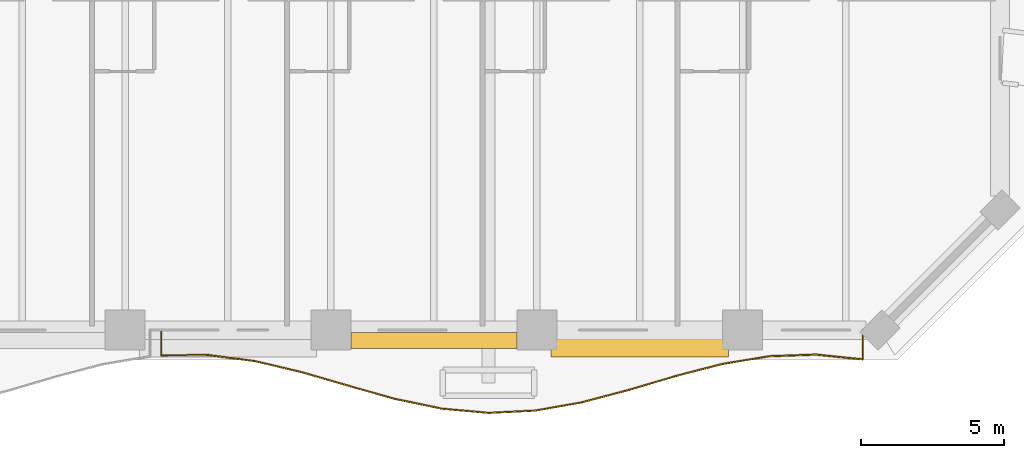
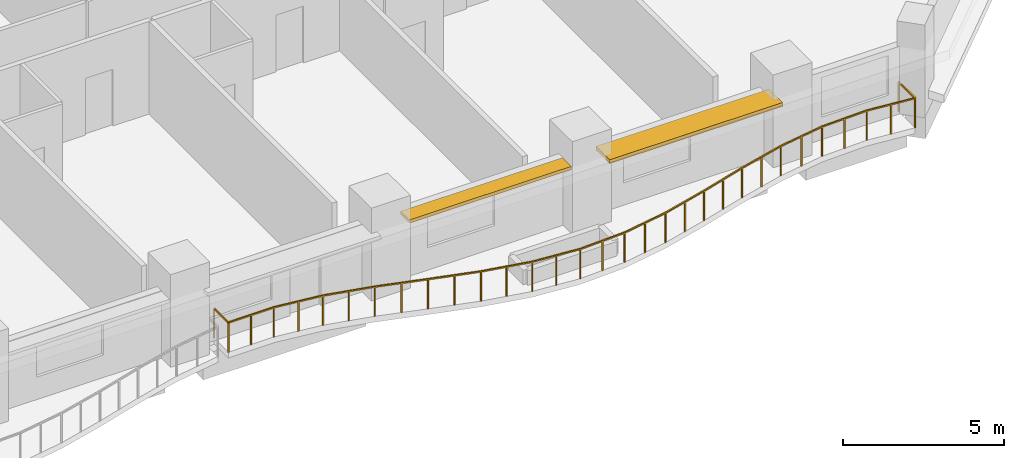
# One storey, part 14 of 15: 2 shading devices, 1 railing.
"""IFC4 building model written with IfcOpenShell, lengths in metres."""

from ifc_helpers import new_model, si_unit, direction, frame, origin, origin_2d, place, context, subcontext, project, spatial, rectangle, extrude, material, layer, layer_set, type_object, element, save


model = new_model("IFC4")

# Units and contexts
model_context = context("Model", 3, precision=1e-05, world=origin(), true_north=direction((0.0, 1.0)))
body_context = subcontext(model_context, "Body", "Model", "MODEL_VIEW")
ifc_project = project(units=[si_unit("LENGTHUNIT", "METRE"), si_unit("AREAUNIT", "SQUARE_METRE"), si_unit("VOLUMEUNIT", "CUBIC_METRE"), si_unit("PLANEANGLEUNIT", "RADIAN"), si_unit("MASSUNIT", "GRAM", prefix="KILO")], contexts=[model_context])

# Site, building, storey
site_placement = place(None, origin())
site = spatial("IfcSite", under=ifc_project, at=site_placement, CompositionType="ELEMENT")
building_placement = place(site_placement, origin())
building = spatial("IfcBuilding", under=site, at=building_placement, Name="Kaelvorn Grand Hotel", CompositionType="ELEMENT")
storey_placement = place(building_placement, frame((0.0, 0.0, 50.14990234375)))
storey = spatial("IfcBuildingStorey", under=building, at=storey_placement, Name="L10", CompositionType="ELEMENT", Elevation=50.14990234375)

# Railing
ifc_material_1 = material(Name="Stainless Steel", Category="steel")
railing_type = type_object("IfcRailingType", Name="RL-BALC-1150", PredefinedType="BALUSTRADE", material=ifc_material_1)
railing_placement = place(storey_placement, frame((54.666748046875, 0.0, 0.0)))
element("IfcRailing", 1, at=railing_placement, inside=storey, type_object=railing_type, Name="L10 Scalloped Wave Balcony Balustrade GR1-3", PredefinedType="BALUSTRADE", context=body_context, shape_type="SweptSolid", body=[
    extrude(rectangle(XDim=0.048095703125, YDim=0.048095703125, at=origin_2d()), frame((0.0, 0.0, 1.1259765625), z_axis=(0.0, -1.0, 0.0), x_axis=(1.0, 0.0, 0.0)), (0.0, 0.0, 1.0), 0.884521484375),
    extrude(rectangle(XDim=0.048095703125, YDim=0.048095703125, at=origin_2d()), frame((0.0, -0.884521484375, 1.1259765625), z_axis=(0.999978430437, 0.006568002827, 0.0), x_axis=(-0.006568002827, 0.999978430437, 0.0)), (0.0, 0.0, 1.0), 1.635498046875),
    extrude(rectangle(XDim=0.048095703125, YDim=0.048095703125, at=origin_2d()), frame((1.635498046875, -0.873779296875, 1.1259765625), z_axis=(0.991728699093, -0.128351811034, 0.0), x_axis=(0.128351811034, 0.991728699093, 0.0)), (0.0, 0.0, 1.0), 1.649169921875),
    extrude(rectangle(XDim=0.048095703125, YDim=0.048095703125, at=origin_2d()), frame((3.27099609375, -1.08544921875, 1.1259765625), z_axis=(0.973100001254, -0.230383132108, 0.0), x_axis=(0.230383132108, 0.973100001254, 0.0)), (0.0, 0.0, 1.0), 1.6806640625),
    extrude(rectangle(XDim=0.048095703125, YDim=0.048095703125, at=origin_2d()), frame((4.906494140625, -1.47265625, 1.1259765625), z_axis=(0.960083412967, -0.279713854047, 0.0), x_axis=(0.279713854047, 0.960083412967, 0.0)), (0.0, 0.0, 1.0), 1.703857421875),
    extrude(rectangle(XDim=0.048095703125, YDim=0.048095703125, at=origin_2d()), frame((6.542236328125, -1.94921875, 1.1259765625), z_axis=(0.962654451324, -0.270733092446, 0.0), x_axis=(0.270733092446, 0.962654451324, 0.0)), (0.0, 0.0, 1.0), 1.698974609375),
    extrude(rectangle(XDim=0.048095703125, YDim=0.048095703125, at=origin_2d()), frame((8.177734375, -2.4091796875, 1.1259765625), z_axis=(0.978911067954, -0.20428685968, 0.0), x_axis=(0.20428685968, 0.978911067954, 0.0)), (0.0, 0.0, 1.0), 1.670654296875),
    extrude(rectangle(XDim=0.048095703125, YDim=0.048095703125, at=origin_2d()), frame((9.813232421875, -2.75048828125, 1.1259765625), z_axis=(0.9959865086, -0.089503489801, 0.0), x_axis=(0.089503489801, 0.9959865086, 0.0)), (0.0, 0.0, 1.0), 1.64208984375),
    extrude(rectangle(XDim=0.048095703125, YDim=0.048095703125, at=origin_2d()), frame((11.44873046875, -2.8974609375, 1.1259765625), z_axis=(0.998796551064, 0.049045382881, 0.0), x_axis=(-0.049045382881, 0.998796551064, 0.0)), (0.0, 0.0, 1.0), 1.6376953125),
    extrude(rectangle(XDim=0.048095703125, YDim=0.048095703125, at=origin_2d()), frame((13.08447265625, -2.817138671875, 1.1259765625), z_axis=(0.984712445929, 0.174187826306, 0.0), x_axis=(-0.174187826306, 0.984712445929, 0.0)), (0.0, 0.0, 1.0), 1.660888671875),
    extrude(rectangle(XDim=0.048095703125, YDim=0.048095703125, at=origin_2d()), frame((14.719970703125, -2.52783203125, 1.1259765625), z_axis=(0.966464429191, 0.256800520072, 0.0), x_axis=(-0.256800520072, 0.966464429191, 0.0)), (0.0, 0.0, 1.0), 1.692138671875),
    extrude(rectangle(XDim=0.048095703125, YDim=0.048095703125, at=origin_2d()), frame((16.35546875, -2.09326171875, 1.1259765625), z_axis=(0.959066322629, 0.283181547419, 0.0), x_axis=(-0.283181547419, 0.959066322629, 0.0)), (0.0, 0.0, 1.0), 1.705322265625),
    extrude(rectangle(XDim=0.048095703125, YDim=0.048095703125, at=origin_2d()), frame((17.990966796875, -1.6103515625, 1.1259765625), z_axis=(0.967989097059, 0.250992246842, 0.0), x_axis=(-0.250992246842, 0.967989097059, 0.0)), (0.0, 0.0, 1.0), 1.689697265625),
    extrude(rectangle(XDim=0.048095703125, YDim=0.048095703125, at=origin_2d()), frame((19.62646484375, -1.186279296875, 1.1259765625), z_axis=(0.986528894242, 0.163587104702, 0.0), x_axis=(-0.163587104702, 0.986528894242, 0.0)), (0.0, 0.0, 1.0), 1.657958984375),
    extrude(rectangle(XDim=0.048095703125, YDim=0.048095703125, at=origin_2d()), frame((21.26220703125, -0.9150390625, 1.1259765625), z_axis=(0.999374770744, 0.035356295069, 0.0), x_axis=(-0.035356295069, 0.999374770744, 0.0)), (0.0, 0.0, 1.0), 1.636474609375),
    extrude(rectangle(XDim=0.048095703125, YDim=0.048095703125, at=origin_2d()), frame((22.897705078125, -0.857177734375, 1.1259765625), z_axis=(0.994767517021, -0.102164509884, 0.0), x_axis=(0.102164509884, 0.994767517021, 0.0)), (0.0, 0.0, 1.0), 1.64404296875),
    extrude(rectangle(XDim=0.048095703125, YDim=0.048095703125, at=origin_2d()), frame((24.533203125, -1.025146484375, 1.1259765625), z_axis=(0.0, 1.0, 0.0), x_axis=(-1.0, 0.0, 0.0)), (0.0, 0.0, 1.0), 1.025146484375),
    extrude(rectangle(XDim=0.0419921875, YDim=0.0419921875, at=origin_2d()), origin(), (0.0, 0.0, 1.0), 1.101806640625),
    extrude(rectangle(XDim=0.0419921875, YDim=0.0419921875, at=origin_2d()), frame((0.0, -0.884521484375, 0.0)), (0.0, 0.0, 1.0), 1.101806640625),
    extrude(rectangle(XDim=0.0419921875, YDim=0.0419921875, at=origin_2d()), frame((0.81787109375, -0.879150390625, 0.0)), (0.0, 0.0, 1.0), 1.101806640625),
    extrude(rectangle(XDim=0.0419921875, YDim=0.0419921875, at=origin_2d()), frame((1.635498046875, -0.873779296875, 0.0)), (0.0, 0.0, 1.0), 1.101806640625),
    extrude(rectangle(XDim=0.0419921875, YDim=0.0419921875, at=origin_2d()), frame((2.453125, -0.9794921875, 0.0)), (0.0, 0.0, 1.0), 1.101806640625),
    extrude(rectangle(XDim=0.0419921875, YDim=0.0419921875, at=origin_2d()), frame((3.27099609375, -1.08544921875, 0.0)), (0.0, 0.0, 1.0), 1.101806640625),
    extrude(rectangle(XDim=0.0419921875, YDim=0.0419921875, at=origin_2d()), frame((4.0888671875, -1.279052734375, 0.0)), (0.0, 0.0, 1.0), 1.101806640625),
    extrude(rectangle(XDim=0.0419921875, YDim=0.0419921875, at=origin_2d()), frame((4.906494140625, -1.47265625, 0.0)), (0.0, 0.0, 1.0), 1.101806640625),
    extrude(rectangle(XDim=0.0419921875, YDim=0.0419921875, at=origin_2d()), frame((5.724365234375, -1.7109375, 0.0)), (0.0, 0.0, 1.0), 1.101806640625),
    extrude(rectangle(XDim=0.0419921875, YDim=0.0419921875, at=origin_2d()), frame((6.542236328125, -1.94921875, 0.0)), (0.0, 0.0, 1.0), 1.101806640625),
    extrude(rectangle(XDim=0.0419921875, YDim=0.0419921875, at=origin_2d()), frame((7.35986328125, -2.17919921875, 0.0)), (0.0, 0.0, 1.0), 1.101806640625),
    extrude(rectangle(XDim=0.0419921875, YDim=0.0419921875, at=origin_2d()), frame((8.177734375, -2.4091796875, 0.0)), (0.0, 0.0, 1.0), 1.101806640625),
    extrude(rectangle(XDim=0.0419921875, YDim=0.0419921875, at=origin_2d()), frame((8.99560546875, -2.579833984375, 0.0)), (0.0, 0.0, 1.0), 1.101806640625),
    extrude(rectangle(XDim=0.0419921875, YDim=0.0419921875, at=origin_2d()), frame((9.813232421875, -2.75048828125, 0.0)), (0.0, 0.0, 1.0), 1.101806640625),
    extrude(rectangle(XDim=0.0419921875, YDim=0.0419921875, at=origin_2d()), frame((10.630859375, -2.823974609375, 0.0)), (0.0, 0.0, 1.0), 1.101806640625),
    extrude(rectangle(XDim=0.0419921875, YDim=0.0419921875, at=origin_2d()), frame((11.44873046875, -2.8974609375, 0.0)), (0.0, 0.0, 1.0), 1.101806640625),
    extrude(rectangle(XDim=0.0419921875, YDim=0.0419921875, at=origin_2d()), frame((12.2666015625, -2.857421875, 0.0)), (0.0, 0.0, 1.0), 1.101806640625),
    extrude(rectangle(XDim=0.0419921875, YDim=0.0419921875, at=origin_2d()), frame((13.08447265625, -2.817138671875, 0.0)), (0.0, 0.0, 1.0), 1.101806640625),
    extrude(rectangle(XDim=0.0419921875, YDim=0.0419921875, at=origin_2d()), frame((13.90234375, -2.67236328125, 0.0)), (0.0, 0.0, 1.0), 1.101806640625),
    extrude(rectangle(XDim=0.0419921875, YDim=0.0419921875, at=origin_2d()), frame((14.719970703125, -2.52783203125, 0.0)), (0.0, 0.0, 1.0), 1.101806640625),
    extrude(rectangle(XDim=0.0419921875, YDim=0.0419921875, at=origin_2d()), frame((15.53759765625, -2.310546875, 0.0)), (0.0, 0.0, 1.0), 1.101806640625),
    extrude(rectangle(XDim=0.0419921875, YDim=0.0419921875, at=origin_2d()), frame((16.35546875, -2.09326171875, 0.0)), (0.0, 0.0, 1.0), 1.101806640625),
    extrude(rectangle(XDim=0.0419921875, YDim=0.0419921875, at=origin_2d()), frame((17.17333984375, -1.851806640625, 0.0)), (0.0, 0.0, 1.0), 1.101806640625),
    extrude(rectangle(XDim=0.0419921875, YDim=0.0419921875, at=origin_2d()), frame((17.990966796875, -1.6103515625, 0.0)), (0.0, 0.0, 1.0), 1.101806640625),
    extrude(rectangle(XDim=0.0419921875, YDim=0.0419921875, at=origin_2d()), frame((18.80859375, -1.3984375, 0.0)), (0.0, 0.0, 1.0), 1.101806640625),
    extrude(rectangle(XDim=0.0419921875, YDim=0.0419921875, at=origin_2d()), frame((19.62646484375, -1.186279296875, 0.0)), (0.0, 0.0, 1.0), 1.101806640625),
    extrude(rectangle(XDim=0.0419921875, YDim=0.0419921875, at=origin_2d()), frame((20.4443359375, -1.05078125, 0.0)), (0.0, 0.0, 1.0), 1.101806640625),
    extrude(rectangle(XDim=0.0419921875, YDim=0.0419921875, at=origin_2d()), frame((21.26220703125, -0.9150390625, 0.0)), (0.0, 0.0, 1.0), 1.101806640625),
    extrude(rectangle(XDim=0.0419921875, YDim=0.0419921875, at=origin_2d()), frame((22.080078125, -0.88623046875, 0.0)), (0.0, 0.0, 1.0), 1.101806640625),
    extrude(rectangle(XDim=0.0419921875, YDim=0.0419921875, at=origin_2d()), frame((22.897705078125, -0.857177734375, 0.0)), (0.0, 0.0, 1.0), 1.101806640625),
    extrude(rectangle(XDim=0.0419921875, YDim=0.0419921875, at=origin_2d()), frame((23.71533203125, -0.941162109375, 0.0)), (0.0, 0.0, 1.0), 1.101806640625),
    extrude(rectangle(XDim=0.0419921875, YDim=0.0419921875, at=origin_2d()), frame((24.533203125, -1.025146484375, 0.0)), (0.0, 0.0, 1.0), 1.101806640625),
    extrude(rectangle(XDim=0.0419921875, YDim=0.0419921875, at=origin_2d()), frame((24.533203125, 0.0, 0.0)), (0.0, 0.0, 1.0), 1.101806640625),
])

# Shading devices
ifc_material_2 = material(Name="Precast concrete C45/55", Category="concrete")
ifc_layer_1 = layer(ifc_material_2, 0.1201171875)
ifc_layer_set_1 = layer_set([ifc_layer_1], Name="Precast concrete C45/55")
shading_device_type_1 = type_object("IfcShadingDeviceType", Name="SHD-SUNSHADE-550", PredefinedType="USERDEFINED", material=ifc_layer_set_1)
shading_device_1_placement = place(storey_placement, frame((64.199951171875, -0.364990234375, 2.419921875), z_axis=(0.0, 0.0, 1.0), x_axis=(1.0, 0.0, 0.0)))
element("IfcShadingDevice", 2, at=shading_device_1_placement, inside=storey, type_object=shading_device_type_1, Name="L10 Horizontal Concrete Sunshade Band SS-09", ObjectType="SUNSHADE", PredefinedType="USERDEFINED", context=body_context, shape_type="SweptSolid", body=[
    extrude(rectangle(XDim=5.800048828125, YDim=0.550048828125, at=origin_2d()), origin(), (0.0, 0.0, 1.0), 0.1201171875),
])
ifc_layer_2 = layer(ifc_material_2, 0.139892578125)
ifc_layer_set_2 = layer_set([ifc_layer_2], Name="Precast concrete C45/55")
shading_device_type_2 = type_object("IfcShadingDeviceType", Name="SHD-SUNSHADE-850", PredefinedType="USERDEFINED", material=ifc_layer_set_2)
shading_device_2_placement = place(storey_placement, frame((71.39990234375, -0.514892578125, 2.41015625), z_axis=(0.0, 0.0, 1.0), x_axis=(1.0, 0.0, 0.0)))
element("IfcShadingDevice", 3, at=shading_device_2_placement, inside=storey, type_object=shading_device_type_2, Name="L10 Horizontal Concrete Sunshade Band SS-10", ObjectType="SUNSHADE", PredefinedType="USERDEFINED", context=body_context, shape_type="SweptSolid", body=[
    extrude(rectangle(XDim=6.199951171875, YDim=0.85009765625, at=origin_2d()), origin(), (0.0, 0.0, 1.0), 0.139892578125),
])

save(model, "model.ifc")
